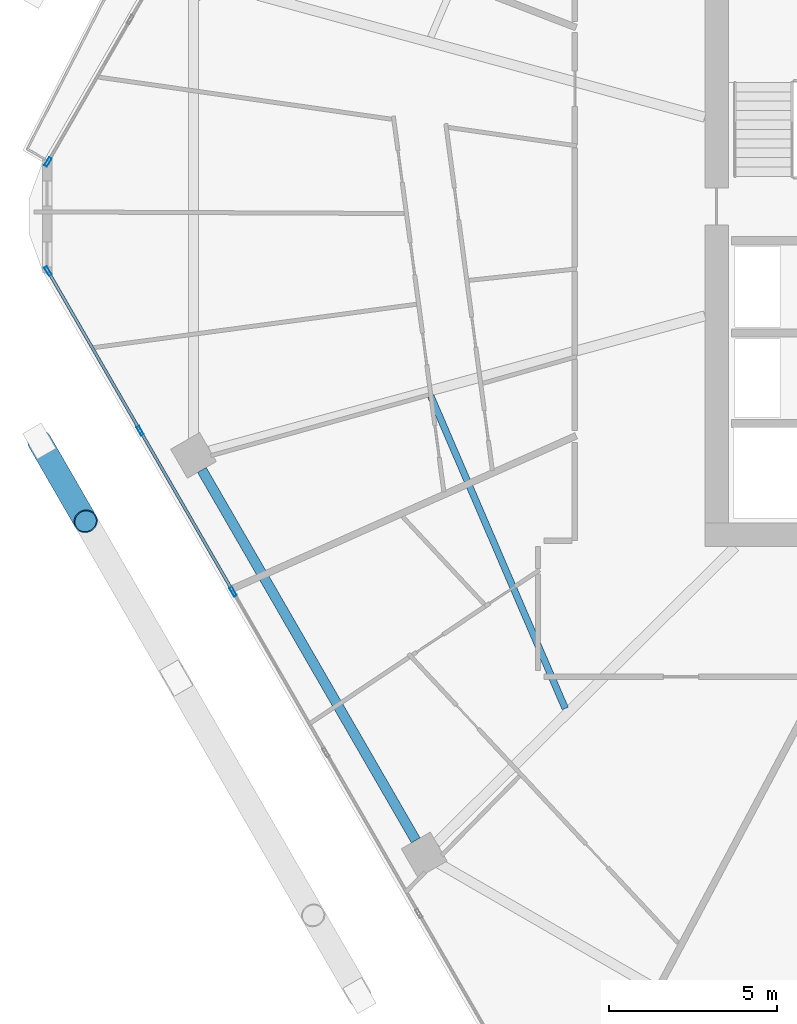
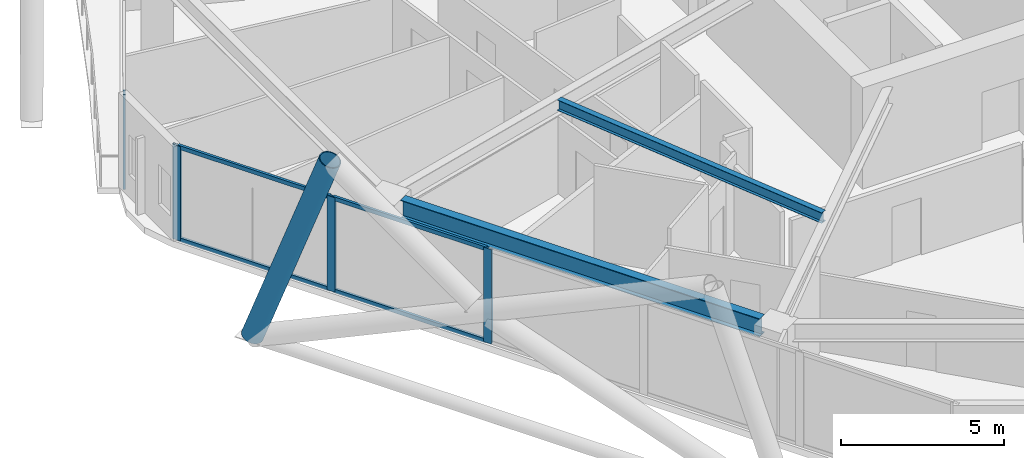
# One storey, part 6 of 30: 9 members, 2 beams, 2 elements without a shape of their own.
"""IFC4 building model written with IfcOpenShell, lengths in metres."""

from ifc_helpers import new_model, si_unit, direction, frame, origin, origin_2d, place, context, subcontext, project, spatial, hollow_rectangle, hollow_circle, i_section, extrude, material, material_profile, profile_set, type_object, element, aggregate, save


model = new_model("IFC4")

# Units and contexts
model_context = context("Model", 3, precision=1e-05, world=origin(), true_north=direction((0.0, 1.0)))
body_context = subcontext(model_context, "Body", "Model", "MODEL_VIEW")
ifc_project = project(units=[si_unit("LENGTHUNIT", "METRE"), si_unit("AREAUNIT", "SQUARE_METRE"), si_unit("VOLUMEUNIT", "CUBIC_METRE"), si_unit("PLANEANGLEUNIT", "RADIAN"), si_unit("MASSUNIT", "GRAM", prefix="KILO")], contexts=[model_context])

# Site, building, storey
site_placement = place(None, origin())
site = spatial("IfcSite", under=ifc_project, at=site_placement, CompositionType="ELEMENT")
building_placement = place(site_placement, origin())
building = spatial("IfcBuilding", under=site, at=building_placement, Name="Zuhravey Tower", CompositionType="ELEMENT")
storey_placement = place(building_placement, frame((0.0, 0.0, 177.0)))
storey = spatial("IfcBuildingStorey", under=building, at=storey_placement, Name="L44", CompositionType="ELEMENT", Elevation=177.0)

# Curtain wall, members
ifc_material_1 = material(Name="Thermally broken anodised aluminium", Category="aluminium")
curtain_wall_type = type_object("IfcCurtainWallType", Name="Zone 1-2 Residential Curtain Wall CW3", PredefinedType="NOTDEFINED", material=ifc_material_1)
curtain_wall_1_placement = place(storey_placement, origin())
curtain_wall_1 = element("IfcCurtainWall", 1, at=curtain_wall_1_placement, inside=storey, type_object=curtain_wall_type, Name="L44 CW3 CW-L44-F4-1", PredefinedType="NOTDEFINED")
ifc_material_2 = material(Name="Anodised aluminium", Category="aluminium")
ifc_material_profile_1 = material_profile(ifc_material_2, hollow_rectangle(XDim=0.090087890625, YDim=0.284912109375, WallThickness=0.0048828125, at=origin_2d()), Name="ALU-RHS-90x285x5")
ifc_profile_set_1 = profile_set([ifc_material_profile_1], Name="Anodised aluminium")
member_type_1 = type_object("IfcMemberType", Name="Curtain-Wall Mullion 90x180", PredefinedType="MULLION", material=ifc_profile_set_1)
member_1_placement = place(storey_placement, frame((11.07275390625, 20.809326171875, 0.0), z_axis=(0.0, 0.0, 1.0), x_axis=(-0.866025138215, -0.500000459979, 0.0)))
member_1 = element("IfcMember", 2, at=member_1_placement, type_object=member_type_1, Name="CW3 mullion 4", PredefinedType="MULLION", context=body_context, shape_type="SweptSolid", body=[
    extrude(hollow_rectangle(XDim=0.090087890625, YDim=0.284912109375, WallThickness=0.0048828125, at=origin_2d()), origin(), (0.0, 0.0, 1.0), 3.550048828125),
])
member_2_placement = place(storey_placement, frame((8.300537109375, 25.61083984375, 0.0), z_axis=(0.0, 0.0, 1.0), x_axis=(-0.866025138215, -0.500000459979, 0.0)))
member_2 = element("IfcMember", 3, at=member_2_placement, type_object=member_type_1, Name="CW3 mullion 5", PredefinedType="MULLION", context=body_context, shape_type="SweptSolid", body=[
    extrude(hollow_rectangle(XDim=0.090087890625, YDim=0.284912109375, WallThickness=0.0048828125, at=origin_2d()), origin(), (0.0, 0.0, 1.0), 3.550048828125),
])
member_3_placement = place(storey_placement, frame((5.55078125, 30.37353515625, 0.0), z_axis=(0.0, 0.0, 1.0), x_axis=(-0.866025138215, -0.500000459979, 0.0)))
member_3 = element("IfcMember", 4, at=member_3_placement, type_object=member_type_1, Name="CW3 mullion 6", PredefinedType="MULLION", context=body_context, shape_type="SweptSolid", body=[
    extrude(hollow_rectangle(XDim=0.090087890625, YDim=0.284912109375, WallThickness=0.0048828125, at=origin_2d()), origin(), (0.0, 0.0, 1.0), 3.550048828125),
])

# Curtain wall, member
curtain_wall_2_placement = place(storey_placement, origin())
curtain_wall_2 = element("IfcCurtainWall", 5, at=curtain_wall_2_placement, inside=storey, type_object=curtain_wall_type, Name="L44 CW3 CW-L44-F3-1", PredefinedType="NOTDEFINED")
member_4_placement = place(storey_placement, frame((5.55078125, 33.62646484375, 0.0), z_axis=(0.0, 0.0, 1.0), x_axis=(-0.8660252797, 0.50000021492, 0.0)))
member_4 = element("IfcMember", 6, at=member_4_placement, type_object=member_type_1, Name="CW3 mullion 1", PredefinedType="MULLION", context=body_context, shape_type="SweptSolid", body=[
    extrude(hollow_rectangle(XDim=0.090087890625, YDim=0.284912109375, WallThickness=0.0048828125, at=origin_2d()), origin(), (0.0, 0.0, 1.0), 3.550048828125),
])
aggregate(curtain_wall_2, [member_4])

# Member
ifc_material_profile_2 = material_profile(ifc_material_2, hollow_rectangle(XDim=0.090087890625, YDim=0.14990234375, WallThickness=0.0048828125, at=origin_2d()), Name="ALU-RHS-90x150x5")
ifc_profile_set_2 = profile_set([ifc_material_profile_2], Name="Anodised aluminium")
member_type_2 = type_object("IfcMemberType", Name="Curtain-Wall Transom 90x150", PredefinedType="USERDEFINED", material=ifc_profile_set_2)
member_5_placement = place(storey_placement, frame((11.050048828125, 20.84814453125, 0.044921875), z_axis=(-0.49996138257, 0.86604769842, 0.0), x_axis=(-0.86604769842, -0.49996138257, 0.0)))
member_5 = element("IfcMember", 7, at=member_5_placement, type_object=member_type_2, Name="CW3 transom 4.1", ObjectType="TRANSOM", PredefinedType="USERDEFINED", context=body_context, shape_type="SweptSolid", body=[
    extrude(hollow_rectangle(XDim=0.090087890625, YDim=0.14990234375, WallThickness=0.0048828125, at=origin_2d()), origin(), (0.0, 0.0, 1.0), 5.45458984375),
])

member_6_placement = place(storey_placement, frame((11.050048828125, 20.84814453125, 3.5048828125), z_axis=(-0.49996138257, 0.86604769842, 0.0), x_axis=(-0.86604769842, -0.49996138257, 0.0)))
member_6 = element("IfcMember", 8, at=member_6_placement, type_object=member_type_2, Name="CW3 transom 4.2", ObjectType="TRANSOM", PredefinedType="USERDEFINED", context=body_context, shape_type="SweptSolid", body=[
    extrude(hollow_rectangle(XDim=0.090087890625, YDim=0.14990234375, WallThickness=0.0048828125, at=origin_2d()), origin(), (0.0, 0.0, 1.0), 5.45458984375),
])

member_7_placement = place(storey_placement, frame((8.27783203125, 25.64990234375, 0.044921875), z_axis=(-0.499993332629, 0.866029253159, 0.0), x_axis=(-0.866029253159, -0.499993332629, 0.0)))
member_7 = element("IfcMember", 9, at=member_7_placement, type_object=member_type_2, Name="CW3 transom 5.1", ObjectType="TRANSOM", PredefinedType="USERDEFINED", context=body_context, shape_type="SweptSolid", body=[
    extrude(hollow_rectangle(XDim=0.090087890625, YDim=0.14990234375, WallThickness=0.0048828125, at=origin_2d()), origin(), (0.0, 0.0, 1.0), 5.4091796875),
])

member_8_placement = place(storey_placement, frame((8.27783203125, 25.64990234375, 3.5048828125), z_axis=(-0.499993332629, 0.866029253159, 0.0), x_axis=(-0.866029253159, -0.499993332629, 0.0)))
member_8 = element("IfcMember", 10, at=member_8_placement, type_object=member_type_2, Name="CW3 transom 5.2", ObjectType="TRANSOM", PredefinedType="USERDEFINED", context=body_context, shape_type="SweptSolid", body=[
    extrude(hollow_rectangle(XDim=0.090087890625, YDim=0.14990234375, WallThickness=0.0048828125, at=origin_2d()), origin(), (0.0, 0.0, 1.0), 5.4091796875),
])

aggregate(curtain_wall_1, [member_1, member_2, member_3, member_5, member_6, member_7, member_8])

ifc_material_3 = material(Name="Steel SM460", Category="steel")
ifc_material_profile_3 = material_profile(ifc_material_3, hollow_circle(Radius=0.355712890625, WallThickness=0.031982421875, at=origin_2d()), Name="CHS-711.2x32")
ifc_profile_set_3 = profile_set([ifc_material_profile_3], Name="Steel SM460")
member_type_3 = type_object("IfcMemberType", Name="Exoskeleton Zone 2 Diagrid CHS711x32", PredefinedType="BRACE", material=ifc_profile_set_3)
member_9_placement = place(storey_placement, frame((5.294677734375, 25.296875, -0.444091796875), z_axis=(0.171428917165, -0.296929081792, 0.939385568734), x_axis=(0.866029404905, 0.499993069792, 0.0)))
element("IfcMember", 11, at=member_9_placement, inside=storey, type_object=member_type_3, Name="L44 Face 4 Diagrid Brace 1", PredefinedType="BRACE", context=body_context, shape_type="SweptSolid", body=[
    extrude(hollow_circle(Radius=0.355712890625, WallThickness=0.031982421875, at=origin_2d()), origin(), (0.0, 0.0, 1.0), 8.0478515625),
])

# Beams
ifc_material_4 = material(Name="Steel SM355", Category="steel")
ifc_material_profile_4 = material_profile(ifc_material_4, i_section(OverallWidth=0.300048828125, OverallDepth=0.679931640625, WebThickness=0.012939453125, FlangeThickness=0.02197265625, at=origin_2d()), Name="H-680x300x13x22")
ifc_profile_set_4 = profile_set([ifc_material_profile_4], Name="Steel SM355")
beam_type_1 = type_object("IfcBeamType", Name="Perimeter Ring Beam H680x300", PredefinedType="BEAM", material=ifc_profile_set_4)
beam_1_placement = place(storey_placement, frame((10.143798828125, 24.43798828125, 3.2099609375), z_axis=(0.499997974489, -0.866026573211, 0.0), x_axis=(0.866026573211, 0.499997974489, 0.0)))
element("IfcBeam", 12, at=beam_1_placement, inside=storey, type_object=beam_type_1, Name="L44 PB2 BM-L44-PB-07", PredefinedType="BEAM", context=body_context, shape_type="SweptSolid", body=[
    extrude(i_section(OverallWidth=0.300048828125, OverallDepth=0.679931640625, WebThickness=0.012939453125, FlangeThickness=0.02197265625, at=origin_2d()), origin(), (0.0, 0.0, 1.0), 12.75830078125),
])
ifc_material_profile_5 = material_profile(ifc_material_4, i_section(OverallWidth=0.199951171875, OverallDepth=0.39990234375, WebThickness=0.008056640625, FlangeThickness=0.012939453125, at=origin_2d()), Name="H-400x200x8x13")
ifc_profile_set_5 = profile_set([ifc_material_profile_5], Name="Steel SM355")
beam_type_2 = type_object("IfcBeamType", Name="Secondary Floor Joist H400x200", PredefinedType="JOIST", material=ifc_profile_set_5)
beam_2_placement = place(storey_placement, frame((16.970458984375, 26.6474609375, 3.35009765625), z_axis=(0.395265853487, -0.918566766799, 0.0), x_axis=(0.918566766799, 0.395265853487, 0.0)))
element("IfcBeam", 13, at=beam_2_placement, inside=storey, type_object=beam_type_2, Name="L44 SJ2 BM-L44-SJ-07-1", PredefinedType="JOIST", context=body_context, shape_type="SweptSolid", body=[
    extrude(i_section(OverallWidth=0.199951171875, OverallDepth=0.39990234375, WebThickness=0.008056640625, FlangeThickness=0.012939453125, at=origin_2d()), origin(), (0.0, 0.0, 1.0), 10.150146484375),
])

save(model, "model.ifc")
